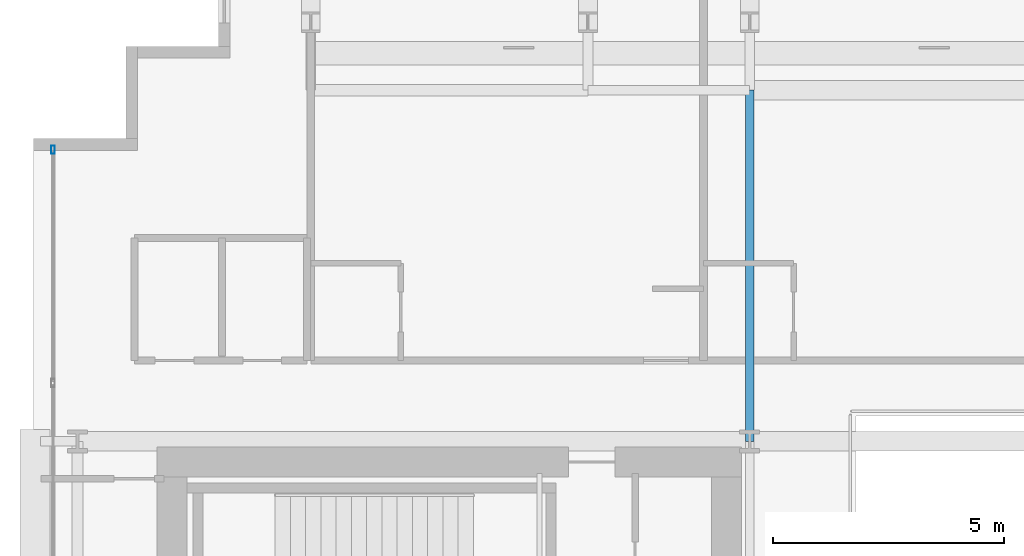
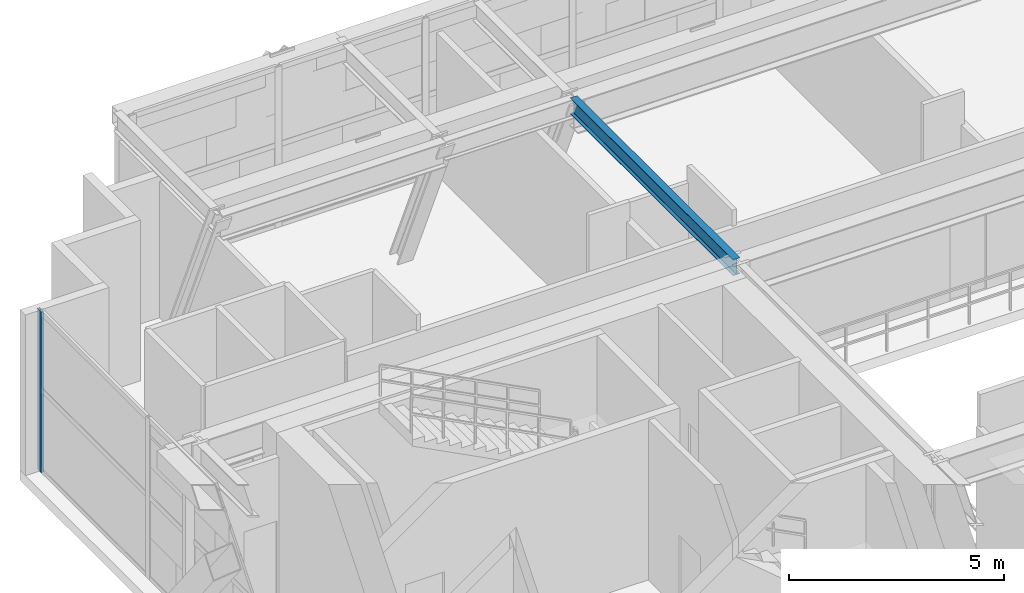
# One storey, part 17 of 35: 1 beam, 1 member, 1 element without a shape of its own.
"""IFC4 building model written with IfcOpenShell, lengths in metres."""

from ifc_helpers import new_model, si_unit, direction, frame, origin, origin_2d, place, context, subcontext, project, spatial, hollow_rectangle, i_section, extrude, source, transform, mapped, material, layer, layer_set, material_profile, profile_set, type_object, element, aggregate, save


model = new_model("IFC4")

# Units and contexts
model_context = context("Model", 3, precision=1e-05, world=origin(), true_north=direction((0.0, 1.0)))
body_context = subcontext(model_context, "Body", "Model", "MODEL_VIEW")
ifc_project = project(units=[si_unit("LENGTHUNIT", "METRE"), si_unit("AREAUNIT", "SQUARE_METRE"), si_unit("VOLUMEUNIT", "CUBIC_METRE"), si_unit("PLANEANGLEUNIT", "RADIAN"), si_unit("MASSUNIT", "GRAM", prefix="KILO")], contexts=[model_context])

# Site, building, storey
site_placement = place(None, origin())
site = spatial("IfcSite", under=ifc_project, at=site_placement, CompositionType="ELEMENT")
building_placement = place(site_placement, origin())
building = spatial("IfcBuilding", under=site, at=building_placement, Name="Ocotamira Hotel", CompositionType="ELEMENT")
storey_placement = place(building_placement, frame((0.0, 0.0, 158.39990234375)))
storey = spatial("IfcBuildingStorey", under=building, at=storey_placement, Name="L39", CompositionType="ELEMENT", Elevation=158.39990234375)

# Beam
ifc_material_1 = material(Name="Steel ASTM A992 Grade 50", Category="steel")
ifc_material_profile_1 = material_profile(ifc_material_1, i_section(OverallWidth=0.18994140625, OverallDepth=0.45703125, WebThickness=0.009033203125, FlangeThickness=0.014404296875, FilletRadius=0.010009765625, at=origin_2d()), Name="W18X50")
ifc_profile_set_1 = profile_set([ifc_material_profile_1], Name="Steel ASTM A992 Grade 50")
beam_type = type_object("IfcBeamType", Name="BM-SEC-W18X50", PredefinedType="JOIST", material=ifc_profile_set_1)
shared_shape_1 = source(origin(), body_context, "Body", "SweptSolid", [
    extrude(i_section(OverallWidth=0.18994140625, OverallDepth=0.45703125, WebThickness=0.009033203125, FlangeThickness=0.014404296875, FilletRadius=0.010009765625, at=origin_2d()), origin(), (0.0, 0.0, 1.0), 7.60009765625),
])
beam_placement = place(storey_placement, frame((23.5, 37.449951171875, 4.341552734375), z_axis=(0.0, 1.0, 0.0), x_axis=(-1.0, 0.0, 0.0)))
element("IfcBeam", 1, at=beam_placement, inside=storey, type_object=beam_type, Name="L39 Beam X23.5 Y37.45-45.05", PredefinedType="JOIST", context=body_context, shape_type="MappedRepresentation", body=[
    mapped(shared_shape_1, transform((0.0, 0.0, 0.0), scale=1.0)),
])

# Curtain wall, member
ifc_material_2 = material(Name="Anodised pale-metal aluminium and solar glass", Category="aluminium")
ifc_layer = layer(ifc_material_2, 0.239990234375)
ifc_layer_set = layer_set([ifc_layer], Name="Anodised pale-metal aluminium and solar glass")
curtain_wall_type = type_object("IfcCurtainWallType", Name="CW-SYS5-SKY", PredefinedType="NOTDEFINED", material=ifc_layer_set)
curtain_wall_placement = place(storey_placement, origin())
curtain_wall = element("IfcCurtainWall", 2, at=curtain_wall_placement, inside=storey, type_object=curtain_wall_type, Name="L39 Curtain Wall CW-5 CW-L39-W", PredefinedType="NOTDEFINED")
ifc_material_3 = material(Name="Anodised pale-metal aluminium 6063-T6", Category="aluminium")
ifc_material_profile_2 = material_profile(ifc_material_3, hollow_rectangle(XDim=0.080078125, YDim=0.179931640625, WallThickness=0.006103515625, at=origin_2d()), Name="HSS180X80X6")
ifc_profile_set_2 = profile_set([ifc_material_profile_2], Name="Anodised pale-metal aluminium 6063-T6")
member_type = type_object("IfcMemberType", Name="CWM-180X75", PredefinedType="MULLION", material=ifc_profile_set_2)
shared_shape_2 = source(origin(), body_context, "Body", "SweptSolid", [
    extrude(hollow_rectangle(XDim=0.080078125, YDim=0.179931640625, WallThickness=0.006103515625, at=origin_2d()), origin(), (0.0, 0.0, 1.0), 4.570068359375),
])
member_placement = place(storey_placement, frame((8.419921875, 43.760009765625, 0.0), z_axis=(0.0, 0.0, 1.0), x_axis=(-1.0, 0.0, 0.0)))
member = element("IfcMember", 3, at=member_placement, type_object=member_type, Name="CW-5 mullion 8", PredefinedType="MULLION", context=body_context, shape_type="MappedRepresentation", body=[
    mapped(shared_shape_2, transform((0.0, 0.0, 0.0), scale=1.0)),
])
aggregate(curtain_wall, [member])

save(model, "model.ifc")
